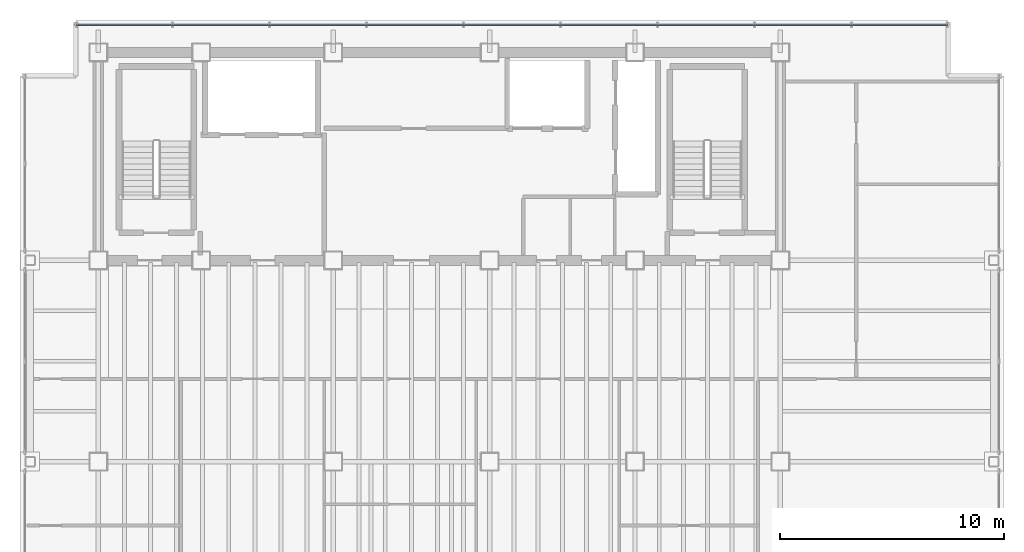
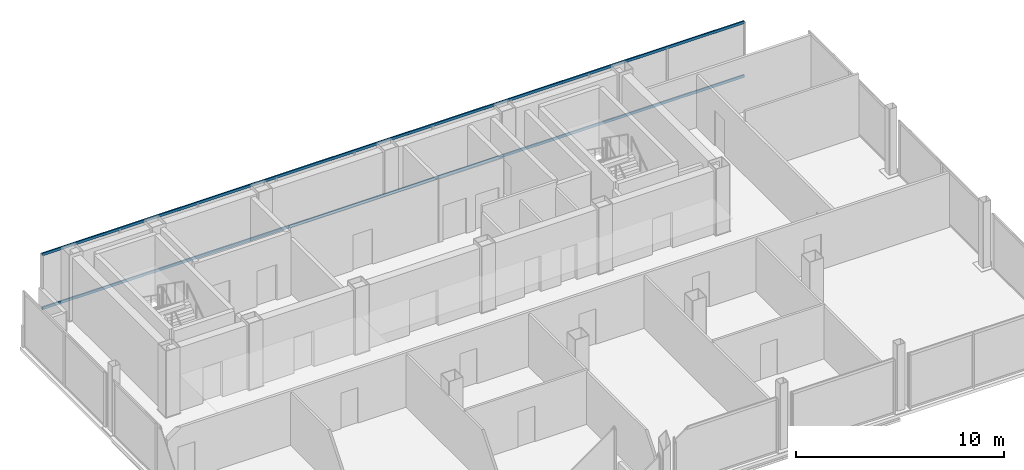
# One storey, part 8 of 15: 2 members, 1 element without a shape of its own.
"""IFC4 building model written with IfcOpenShell, lengths in metres."""

from ifc_helpers import new_model, si_unit, direction, frame, origin, origin_2d, place, context, subcontext, project, spatial, hollow_rectangle, extrude, material, material_profile, profile_set, type_object, element, aggregate, save


model = new_model("IFC4")

# Units and contexts
model_context = context("Model", 3, precision=1e-05, world=origin(), true_north=direction((0.0, 1.0)))
body_context = subcontext(model_context, "Body", "Model", "MODEL_VIEW")
ifc_project = project(units=[si_unit("LENGTHUNIT", "METRE"), si_unit("AREAUNIT", "SQUARE_METRE"), si_unit("VOLUMEUNIT", "CUBIC_METRE"), si_unit("PLANEANGLEUNIT", "RADIAN"), si_unit("MASSUNIT", "GRAM", prefix="KILO")], contexts=[model_context])

# Site, building, storey
site_placement = place(None, origin())
site = spatial("IfcSite", under=ifc_project, at=site_placement, CompositionType="ELEMENT")
building_placement = place(site_placement, origin())
building = spatial("IfcBuilding", under=site, at=building_placement, Name="Noeulbin Bourse Tower", CompositionType="ELEMENT")
storey_placement = place(building_placement, frame((0.0, 0.0, 222.800048828125)))
storey = spatial("IfcBuildingStorey", under=building, at=storey_placement, Name="L55", CompositionType="ELEMENT", Elevation=222.800048828125)

# Curtain wall, members
ifc_material_1 = material(Name="High-Selectivity Low-Iron Glazing", Category="glass")
curtain_wall_type = type_object("IfcCurtainWallType", Name="CW-SYS-4", PredefinedType="NOTDEFINED", material=ifc_material_1)
curtain_wall_placement = place(storey_placement, origin())
curtain_wall = element("IfcCurtainWall", 1, at=curtain_wall_placement, inside=storey, type_object=curtain_wall_type, Name="Unitised Curtain Wall CW-L55-N", PredefinedType="NOTDEFINED")
ifc_material_2 = material(Name="Anodised Aluminium 6063-T6", Category="aluminium")
ifc_material_profile = material_profile(ifc_material_2, hollow_rectangle(XDim=0.074951171875, YDim=0.159912109375, WallThickness=0.0048828125, InnerFilletRadius=0.00244140625, OuterFilletRadius=0.0048828125, at=origin_2d()), Name="ALU-TRAN-75x160x5", Category="LoadBearing")
ifc_profile_set = profile_set([ifc_material_profile], Name="Anodised Aluminium 6063-T6")
member_type = type_object("IfcMemberType", Name="CW-SYS-4-TRN", PredefinedType="USERDEFINED", material=ifc_profile_set)
member_1_placement = place(storey_placement, frame((12.530029296875, 39.530029296875, 0.010009765625), z_axis=(1.0, 0.0, 0.0), x_axis=(0.0, 1.0, 0.0)))
member_1 = element("IfcMember", 2, at=member_1_placement, type_object=member_type, Name="Curtain Wall Transom CW-L55-N-T00", ObjectType="TRANSOM", PredefinedType="USERDEFINED", context=body_context, shape_type="SweptSolid", body=[
    extrude(hollow_rectangle(XDim=0.074951171875, YDim=0.159912109375, WallThickness=0.0048828125, InnerFilletRadius=0.00244140625, OuterFilletRadius=0.0048828125, at=origin_2d()), origin(), (0.0, 0.0, 1.0), 38.93994140625),
])
member_2_placement = place(storey_placement, frame((12.530029296875, 39.530029296875, 3.169921875), z_axis=(1.0, 0.0, 0.0), x_axis=(0.0, 1.0, 0.0)))
member_2 = element("IfcMember", 3, at=member_2_placement, type_object=member_type, Name="Curtain Wall Transom CW-L55-N-T01", ObjectType="TRANSOM", PredefinedType="USERDEFINED", context=body_context, shape_type="SweptSolid", body=[
    extrude(hollow_rectangle(XDim=0.074951171875, YDim=0.159912109375, WallThickness=0.0048828125, InnerFilletRadius=0.00244140625, OuterFilletRadius=0.0048828125, at=origin_2d()), origin(), (0.0, 0.0, 1.0), 38.93994140625),
])
aggregate(curtain_wall, [member_1, member_2])

save(model, "model.ifc")
